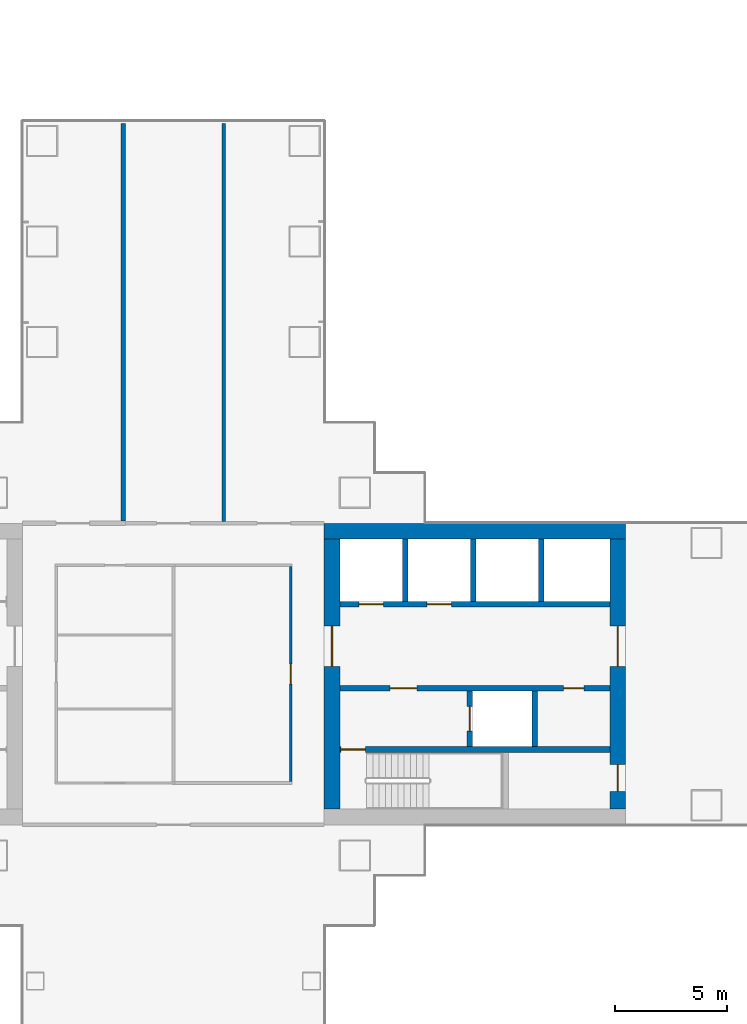
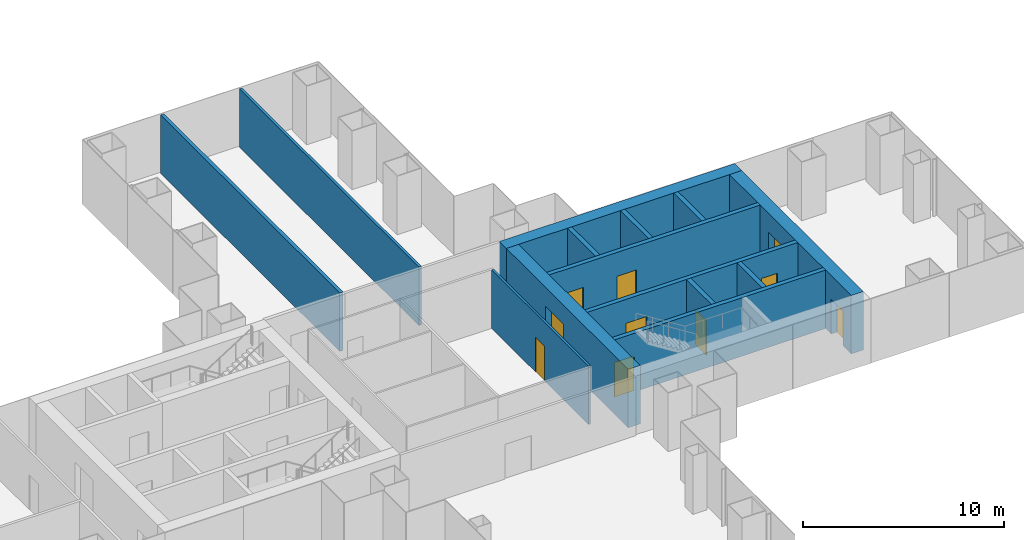
# One storey, part 14 of 21: 14 walls, 10 doors, 10 openings.
"""IFC4 building model written with IfcOpenShell, lengths in metres."""

from ifc_helpers import new_model, si_unit, direction, frame, frame_2d, origin, place, context, subcontext, project, spatial, rectangle, extrude, material, layer, layer_set, type_object, element, fill, save


model = new_model("IFC4")

# Units and contexts
model_context = context("Model", 3, precision=1e-05, world=origin(), true_north=direction((0.0, 1.0)))
body_context = subcontext(model_context, "Body", "Model", "MODEL_VIEW")
ifc_project = project(units=[si_unit("LENGTHUNIT", "METRE"), si_unit("AREAUNIT", "SQUARE_METRE"), si_unit("VOLUMEUNIT", "CUBIC_METRE"), si_unit("PLANEANGLEUNIT", "RADIAN"), si_unit("MASSUNIT", "GRAM", prefix="KILO")], contexts=[model_context])

# Site, building, storey
site_placement = place(None, origin())
site = spatial("IfcSite", under=ifc_project, at=site_placement, CompositionType="ELEMENT")
building_placement = place(site_placement, origin())
building = spatial("IfcBuilding", under=site, at=building_placement, Name="Shamsa Quay Exchange Towers", CompositionType="ELEMENT")
storey_placement = place(building_placement, frame((0.0, 0.0, 53.699951171875)))
storey = spatial("IfcBuildingStorey", under=building, at=storey_placement, Name="L11", CompositionType="ELEMENT", Elevation=53.699951171875)

# Wall
ifc_material_1 = material(Name="Concrete C80/95", Category="concrete")
ifc_layer_1 = layer(ifc_material_1, 0.699951171875)
ifc_layer_set_1 = layer_set([ifc_layer_1], Name="CORE WALL 700 C80/95")
wall_type_1 = type_object("IfcWallType", Name="CORE WALL 700 C80/95", PredefinedType="SHEAR", material=ifc_layer_set_1)
wall_1_placement = place(storey_placement, frame((-27.0, 6.39990234375, 0.0)))
element("IfcWall", 1, at=wall_1_placement, inside=storey, type_object=wall_type_1, Name="Core wall T1A-R04-PN", PredefinedType="SHEAR", context=body_context, shape_type="SweptSolid", body=[
    extrude(rectangle(XDim=13.5, YDim=0.699951171875, at=frame_2d((6.75, 0.0))), origin(), (0.0, 0.0, 1.0), 3.550048828125),
])

# Wall, opening, door
wall_2_placement = place(storey_placement, frame((-26.64990234375, 6.050048828125, 0.0), z_axis=(0.0, 0.0, 1.0), x_axis=(0.0, -1.0, 0.0)))
wall_2 = element("IfcWall", 2, at=wall_2_placement, inside=storey, type_object=wall_type_1, Name="Core wall T1A-R04-PF", PredefinedType="SHEAR", context=body_context, shape_type="SweptSolid", body=[
    extrude(rectangle(XDim=12.10009765625, YDim=0.699951171875, at=frame_2d((6.050048828125, 0.0))), origin(), (0.0, 0.0, 1.0), 3.550048828125),
])
opening_1_placement = place(wall_2_placement, frame((3.89990234375, 0.0, 0.0)))
opening_1 = element("IfcOpeningElement", 3, at=opening_1_placement, cuts=wall_2, Name="Opening T1A-R04-LBD01", PredefinedType="OPENING", context=body_context, shape_type="SweptSolid", body=[
    extrude(rectangle(XDim=1.800048828125, YDim=2.39990234375, at=frame_2d((0.89990234375, 1.199951171875))), frame((0.0, 0.35986328125, 0.0), z_axis=(0.0, -1.0, 0.0), x_axis=(1.0, 0.0, 0.0)), (0.0, 0.0, 1.0), 0.719970703125),
])
ifc_material_2 = material(Name="Steel, fire rated", Category="steel")
door_type_1 = type_object("IfcDoorType", Name="LIFT LOBBY DOOR PAIR 1800", OperationType="DOUBLE_DOOR_SINGLE_SWING", PredefinedType="DOOR", material=ifc_material_2)
door_1_placement = place(opening_1_placement, origin())
door_1 = element("IfcDoor", 4, at=door_1_placement, inside=storey, type_object=door_type_1, Name="T1A-R04-LBD01", OperationType="DOUBLE_DOOR_SINGLE_SWING", OverallHeight=2.39990234375, OverallWidth=1.800048828125, PredefinedType="DOOR", context=body_context, shape_type="SweptSolid", body=[
    extrude(rectangle(XDim=1.800048828125, YDim=2.39990234375, at=frame_2d((0.89990234375, 1.199951171875))), frame((0.0, 0.02490234375, 0.0), z_axis=(0.0, -1.0, 0.0), x_axis=(1.0, 0.0, 0.0)), (0.0, 0.0, 1.0), 0.050048828125),
])
fill(opening_1, door_1)

# Wall, openings, doors
wall_3_placement = place(storey_placement, frame((-13.85009765625, 6.050048828125, 0.0), z_axis=(0.0, 0.0, 1.0), x_axis=(0.0, -1.0, 0.0)))
wall_3 = element("IfcWall", 5, at=wall_3_placement, inside=storey, type_object=wall_type_1, Name="Core wall T1A-R04-PB", PredefinedType="SHEAR", context=body_context, shape_type="SweptSolid", body=[
    extrude(rectangle(XDim=12.10009765625, YDim=0.699951171875, at=frame_2d((6.050048828125, 0.0))), origin(), (0.0, 0.0, 1.0), 3.550048828125),
])
opening_2_placement = place(wall_3_placement, frame((10.10009765625, 0.0, 0.0)))
opening_2 = element("IfcOpeningElement", 6, at=opening_2_placement, cuts=wall_3, Name="Opening T1A-R04-RD02", PredefinedType="OPENING", context=body_context, shape_type="SweptSolid", body=[
    extrude(rectangle(XDim=1.199951171875, YDim=2.10009765625, at=frame_2d((0.60009765625, 1.050048828125))), frame((0.0, 0.35986328125, 0.0), z_axis=(0.0, -1.0, 0.0), x_axis=(1.0, 0.0, 0.0)), (0.0, 0.0, 1.0), 0.719970703125),
])
opening_3_placement = place(wall_3_placement, frame((3.89990234375, 0.0, 0.0)))
opening_3 = element("IfcOpeningElement", 7, at=opening_3_placement, cuts=wall_3, Name="Opening T1A-R04-LBD03", PredefinedType="OPENING", context=body_context, shape_type="SweptSolid", body=[
    extrude(rectangle(XDim=1.800048828125, YDim=2.39990234375, at=frame_2d((0.89990234375, 1.199951171875))), frame((0.0, 0.35986328125, 0.0), z_axis=(0.0, -1.0, 0.0), x_axis=(1.0, 0.0, 0.0)), (0.0, 0.0, 1.0), 0.719970703125),
])
door_2_placement = place(opening_3_placement, origin())
door_2 = element("IfcDoor", 8, at=door_2_placement, inside=storey, type_object=door_type_1, Name="T1A-R04-LBD03", OperationType="DOUBLE_DOOR_SINGLE_SWING", OverallHeight=2.39990234375, OverallWidth=1.800048828125, PredefinedType="DOOR", context=body_context, shape_type="SweptSolid", body=[
    extrude(rectangle(XDim=1.800048828125, YDim=2.39990234375, at=frame_2d((0.89990234375, 1.199951171875))), frame((0.0, 0.02490234375, 0.0), z_axis=(0.0, -1.0, 0.0), x_axis=(1.0, 0.0, 0.0)), (0.0, 0.0, 1.0), 0.050048828125),
])
fill(opening_3, door_2)
door_type_2 = type_object("IfcDoorType", Name="RISER ACCESS DOOR 1200", OperationType="SINGLE_SWING_LEFT", PredefinedType="DOOR", material=ifc_material_2)
door_3_placement = place(opening_2_placement, origin())
door_3 = element("IfcDoor", 9, at=door_3_placement, inside=storey, type_object=door_type_2, Name="T1A-R04-RD02", OperationType="SINGLE_SWING_RIGHT", OverallHeight=2.10009765625, OverallWidth=1.199951171875, PredefinedType="DOOR", context=body_context, shape_type="SweptSolid", body=[
    extrude(rectangle(XDim=1.199951171875, YDim=2.10009765625, at=frame_2d((0.60009765625, 1.050048828125))), frame((0.0, 0.02490234375, 0.0), z_axis=(0.0, -1.0, 0.0), x_axis=(1.0, 0.0, 0.0)), (0.0, 0.0, 1.0), 0.050048828125),
])
fill(opening_2, door_3)

# Wall, opening, door
ifc_material_3 = material(Name="Laminated fire-resisting glass in a metal frame", Category="glass")
ifc_layer_2 = layer(ifc_material_3, 0.125)
ifc_layer_set_2 = layer_set([ifc_layer_2], Name="Glazed partition 125 mm EI 60")
wall_type_2 = type_object("IfcWallType", Name="Glazed partition 125 mm EI 60", PredefinedType="PARTITIONING", material=ifc_layer_set_2)
wall_4_placement = place(storey_placement, frame((-28.5, -4.8125, 0.0), z_axis=(0.0, 0.0, 1.0), x_axis=(0.0, 1.0, 0.0)))
wall_4 = element("IfcWall", 10, at=wall_4_placement, inside=storey, type_object=wall_type_2, Name="Partition T1-R04-W05", PredefinedType="PARTITIONING", context=body_context, shape_type="SweptSolid", body=[
    extrude(rectangle(XDim=9.625, YDim=0.125, at=frame_2d((4.8125, 0.0))), origin(), (0.0, 0.0, 1.0), 3.550048828125),
])
opening_4_placement = place(wall_4_placement, frame((4.362548828125, 0.0, 0.0)))
opening_4 = element("IfcOpeningElement", 11, at=opening_4_placement, cuts=wall_4, Name="Opening T1-R04-D09", PredefinedType="OPENING", context=body_context, shape_type="SweptSolid", body=[
    extrude(rectangle(XDim=0.89990234375, YDim=2.10009765625, at=frame_2d((0.449951171875, 1.050048828125))), frame((0.0, 0.072509765625, 0.0), z_axis=(0.0, -1.0, 0.0), x_axis=(1.0, 0.0, 0.0)), (0.0, 0.0, 1.0), 0.14501953125),
])
ifc_material_4 = material(Name="Timber door leaf in a metal frame", Category="wood")
door_type_3 = type_object("IfcDoorType", Name="Door 900x2100 FD30S", OperationType="NOTDEFINED", PredefinedType="DOOR", material=ifc_material_4)
door_4_placement = place(opening_4_placement, origin())
door_4 = element("IfcDoor", 12, at=door_4_placement, inside=storey, type_object=door_type_3, Name="Door T1-R04-D09", OperationType="SINGLE_SWING_RIGHT", OverallHeight=2.10009765625, OverallWidth=0.89990234375, PredefinedType="DOOR", context=body_context, shape_type="SweptSolid", body=[
    extrude(rectangle(XDim=0.89990234375, YDim=2.10009765625, at=frame_2d((0.449951171875, 1.050048828125))), frame((0.0, 0.02490234375, 0.0), z_axis=(0.0, -1.0, 0.0), x_axis=(1.0, 0.0, 0.0)), (0.0, 0.0, 1.0), 0.050048828125),
])
fill(opening_4, door_4)

# Walls
ifc_material_5 = material(Name="Gypsum board partition on metal studs")
ifc_layer_3 = layer(ifc_material_5, 0.14990234375)
ifc_layer_set_3 = layer_set([ifc_layer_3], Name="Partition 150 mm EI 60")
wall_type_3 = type_object("IfcWallType", Name="Partition 150 mm EI 60", PredefinedType="PARTITIONING", material=ifc_layer_set_3)
wall_5_placement = place(storey_placement, frame((-31.5, 6.824951171875, 0.0), z_axis=(0.0, 0.0, 1.0), x_axis=(0.0, 1.0, 0.0)))
element("IfcWall", 13, at=wall_5_placement, inside=storey, type_object=wall_type_3, Name="Partition T1-R04-W16", PredefinedType="PARTITIONING", context=body_context, shape_type="SweptSolid", body=[
    extrude(rectangle(XDim=17.830078125, YDim=0.14990234375, at=frame_2d((8.9150390625, 0.0))), origin(), (0.0, 0.0, 1.0), 3.550048828125),
])
ifc_layer_4 = layer(ifc_material_5, 0.199951171875)
ifc_layer_set_4 = layer_set([ifc_layer_4], Name="Partition 200 mm EI 90")
wall_type_4 = type_object("IfcWallType", Name="Partition 200 mm EI 90", PredefinedType="PARTITIONING", material=ifc_layer_set_4)
wall_6_placement = place(storey_placement, frame((-36.0, 6.85009765625, 0.0), z_axis=(0.0, 0.0, 1.0), x_axis=(0.0, 1.0, 0.0)))
element("IfcWall", 14, at=wall_6_placement, inside=storey, type_object=wall_type_4, Name="Partition T1-R04-W15", PredefinedType="PARTITIONING", context=body_context, shape_type="SweptSolid", body=[
    extrude(rectangle(XDim=17.804931640625, YDim=0.199951171875, at=frame_2d((8.90234375, 0.0))), origin(), (0.0, 0.0, 1.0), 3.550048828125),
])

# Wall, opening, door
ifc_material_6 = material(Name="Concrete C50/60", Category="concrete")
ifc_layer_5 = layer(ifc_material_6, 0.25)
ifc_layer_set_5 = layer_set([ifc_layer_5], Name="SHAFT WALL 250 C50/60")
wall_type_5 = type_object("IfcWallType", Name="SHAFT WALL 250 C50/60", PredefinedType="SHEAR", material=ifc_layer_set_5)
wall_7_placement = place(storey_placement, frame((-14.199951171875, -3.375, 0.0), z_axis=(0.0, 0.0, 1.0), x_axis=(-1.0, 0.0, 0.0)))
wall_7 = element("IfcWall", 15, at=wall_7_placement, inside=storey, type_object=wall_type_5, Name="Shaft wall T1A-R04-STL", PredefinedType="SHEAR", context=body_context, shape_type="SweptSolid", body=[
    extrude(rectangle(XDim=12.10009765625, YDim=0.25, at=frame_2d((6.050048828125, 0.0))), origin(), (0.0, 0.0, 1.0), 3.550048828125),
])
opening_5_placement = place(wall_7_placement, frame((10.949951171875, 0.0, 0.0)))
opening_5 = element("IfcOpeningElement", 16, at=opening_5_placement, cuts=wall_7, Name="Opening T1A-R04-SD04", PredefinedType="OPENING", context=body_context, shape_type="SweptSolid", body=[
    extrude(rectangle(XDim=1.10009765625, YDim=2.10009765625, at=frame_2d((0.550048828125, 1.050048828125))), frame((0.0, 0.135009765625, 0.0), z_axis=(0.0, -1.0, 0.0), x_axis=(1.0, 0.0, 0.0)), (0.0, 0.0, 1.0), 0.27001953125),
])
door_type_4 = type_object("IfcDoorType", Name="STAIR DOOR 1100", OperationType="SINGLE_SWING_LEFT", PredefinedType="DOOR", material=ifc_material_2)
door_5_placement = place(opening_5_placement, origin())
door_5 = element("IfcDoor", 17, at=door_5_placement, inside=storey, type_object=door_type_4, Name="T1A-R04-SD04", OperationType="SINGLE_SWING_RIGHT", OverallHeight=2.10009765625, OverallWidth=1.10009765625, PredefinedType="DOOR", context=body_context, shape_type="SweptSolid", body=[
    extrude(rectangle(XDim=1.10009765625, YDim=2.10009765625, at=frame_2d((0.550048828125, 1.050048828125))), frame((0.0, 0.02490234375, 0.0), z_axis=(0.0, -1.0, 0.0), x_axis=(1.0, 0.0, 0.0)), (0.0, 0.0, 1.0), 0.050048828125),
])
fill(opening_5, door_5)

# Wall, openings, doors
wall_8_placement = place(storey_placement, frame((-14.199951171875, -0.625, 0.0), z_axis=(0.0, 0.0, 1.0), x_axis=(-1.0, 0.0, 0.0)))
wall_8 = element("IfcWall", 18, at=wall_8_placement, inside=storey, type_object=wall_type_5, Name="Shaft wall T1A-R04-B", PredefinedType="SHEAR", context=body_context, shape_type="SweptSolid", body=[
    extrude(rectangle(XDim=12.10009765625, YDim=0.25, at=frame_2d((6.050048828125, 0.0))), origin(), (0.0, 0.0, 1.0), 3.550048828125),
])
opening_6_placement = place(wall_8_placement, frame((8.64990234375, 0.0, 0.0)))
opening_6 = element("IfcOpeningElement", 19, at=opening_6_placement, cuts=wall_8, Name="Opening T1A-R04-FD05", PredefinedType="OPENING", context=body_context, shape_type="SweptSolid", body=[
    extrude(rectangle(XDim=1.199951171875, YDim=2.10009765625, at=frame_2d((0.60009765625, 1.050048828125))), frame((0.0, 0.135009765625, 0.0), z_axis=(0.0, -1.0, 0.0), x_axis=(1.0, 0.0, 0.0)), (0.0, 0.0, 1.0), 0.27001953125),
])
opening_7_placement = place(wall_8_placement, frame((1.175048828125, 0.0, 0.0)))
opening_7 = element("IfcOpeningElement", 20, at=opening_7_placement, cuts=wall_8, Name="Opening T1A-R04-SV06", PredefinedType="OPENING", context=body_context, shape_type="SweptSolid", body=[
    extrude(rectangle(XDim=0.89990234375, YDim=2.10009765625, at=frame_2d((0.449951171875, 1.050048828125))), frame((0.0, 0.135009765625, 0.0), z_axis=(0.0, -1.0, 0.0), x_axis=(1.0, 0.0, 0.0)), (0.0, 0.0, 1.0), 0.27001953125),
])
door_type_5 = type_object("IfcDoorType", Name="FIRE SERVICE LOBBY DOOR 1200", OperationType="SINGLE_SWING_LEFT", PredefinedType="DOOR", material=ifc_material_2)
door_6_placement = place(opening_6_placement, origin())
door_6 = element("IfcDoor", 21, at=door_6_placement, inside=storey, type_object=door_type_5, Name="T1A-R04-FD05", OperationType="SINGLE_SWING_RIGHT", OverallHeight=2.10009765625, OverallWidth=1.199951171875, PredefinedType="DOOR", context=body_context, shape_type="SweptSolid", body=[
    extrude(rectangle(XDim=1.199951171875, YDim=2.10009765625, at=frame_2d((0.60009765625, 1.050048828125))), frame((0.0, 0.02490234375, 0.0), z_axis=(0.0, -1.0, 0.0), x_axis=(1.0, 0.0, 0.0)), (0.0, 0.0, 1.0), 0.050048828125),
])
fill(opening_6, door_6)
door_type_6 = type_object("IfcDoorType", Name="SERVICE ROOM DOOR 900", OperationType="SINGLE_SWING_LEFT", PredefinedType="DOOR", material=ifc_material_2)
door_7_placement = place(opening_7_placement, origin())
door_7 = element("IfcDoor", 22, at=door_7_placement, inside=storey, type_object=door_type_6, Name="T1A-R04-SV06", OperationType="SINGLE_SWING_LEFT", OverallHeight=2.10009765625, OverallWidth=0.89990234375, PredefinedType="DOOR", context=body_context, shape_type="SweptSolid", body=[
    extrude(rectangle(XDim=0.89990234375, YDim=2.10009765625, at=frame_2d((0.449951171875, 1.050048828125))), frame((0.0, 0.02490234375, 0.0), z_axis=(0.0, -1.0, 0.0), x_axis=(1.0, 0.0, 0.0)), (0.0, 0.0, 1.0), 0.050048828125),
])
fill(opening_7, door_7)

# Wall, opening, door
wall_9_placement = place(storey_placement, frame((-20.47509765625, -3.25, 0.0), z_axis=(0.0, 0.0, 1.0), x_axis=(0.0, 1.0, 0.0)))
wall_9 = element("IfcWall", 23, at=wall_9_placement, inside=storey, type_object=wall_type_5, Name="Shaft wall T1A-R04-FFF", PredefinedType="SHEAR", context=body_context, shape_type="SweptSolid", body=[
    extrude(rectangle(XDim=2.5, YDim=0.25, at=frame_2d((1.25, 0.0))), origin(), (0.0, 0.0, 1.0), 3.550048828125),
])
opening_8_placement = place(wall_9_placement, frame((0.699951171875, 0.0, 0.0)))
opening_8 = element("IfcOpeningElement", 24, at=opening_8_placement, cuts=wall_9, Name="Opening T1A-R04-LDF07", PredefinedType="OPENING", context=body_context, shape_type="SweptSolid", body=[
    extrude(rectangle(XDim=1.10009765625, YDim=2.10009765625, at=frame_2d((0.550048828125, 1.050048828125))), frame((0.0, 0.135009765625, 0.0), z_axis=(0.0, -1.0, 0.0), x_axis=(1.0, 0.0, 0.0)), (0.0, 0.0, 1.0), 0.27001953125),
])
door_type_7 = type_object("IfcDoorType", Name="FIRE SERVICE LANDING DOOR 1100", OperationType="SLIDING_TO_LEFT", PredefinedType="DOOR", material=ifc_material_2)
door_8_placement = place(opening_8_placement, origin())
door_8 = element("IfcDoor", 25, at=door_8_placement, inside=storey, type_object=door_type_7, Name="T1A-R04-LDF07", OperationType="SLIDING_TO_LEFT", OverallHeight=2.10009765625, OverallWidth=1.10009765625, PredefinedType="DOOR", context=body_context, shape_type="SweptSolid", body=[
    extrude(rectangle(XDim=1.10009765625, YDim=2.10009765625, at=frame_2d((0.550048828125, 1.050048828125))), frame((0.0, 0.02490234375, 0.0), z_axis=(0.0, -1.0, 0.0), x_axis=(1.0, 0.0, 0.0)), (0.0, 0.0, 1.0), 0.050048828125),
])
fill(opening_8, door_8)

# Wall
wall_10_placement = place(storey_placement, frame((-17.574951171875, -3.25, 0.0), z_axis=(0.0, 0.0, 1.0), x_axis=(0.0, 1.0, 0.0)))
element("IfcWall", 26, at=wall_10_placement, inside=storey, type_object=wall_type_5, Name="Shaft wall T1A-R04-FFB", PredefinedType="SHEAR", context=body_context, shape_type="SweptSolid", body=[
    extrude(rectangle(XDim=2.5, YDim=0.25, at=frame_2d((1.25, 0.0))), origin(), (0.0, 0.0, 1.0), 3.550048828125),
])

# Wall, openings, doors
wall_11_placement = place(storey_placement, frame((-26.300048828125, 3.125, 0.0)))
wall_11 = element("IfcWall", 27, at=wall_11_placement, inside=storey, type_object=wall_type_5, Name="Shaft wall T1A-R04-N", PredefinedType="SHEAR", context=body_context, shape_type="SweptSolid", body=[
    extrude(rectangle(XDim=12.10009765625, YDim=0.25, at=frame_2d((6.050048828125, 0.0))), origin(), (0.0, 0.0, 1.0), 3.550048828125),
])
opening_9_placement = place(wall_11_placement, frame((0.85009765625, 0.0, 0.0)))
opening_9 = element("IfcOpeningElement", 28, at=opening_9_placement, cuts=wall_11, Name="Opening T1A-R04-LD08", PredefinedType="OPENING", context=body_context, shape_type="SweptSolid", body=[
    extrude(rectangle(XDim=1.10009765625, YDim=2.10009765625, at=frame_2d((0.550048828125, 1.050048828125))), frame((0.0, 0.135009765625, 0.0), z_axis=(0.0, -1.0, 0.0), x_axis=(1.0, 0.0, 0.0)), (0.0, 0.0, 1.0), 0.27001953125),
])
opening_10_placement = place(wall_11_placement, frame((3.89990234375, 0.0, 0.0)))
opening_10 = element("IfcOpeningElement", 29, at=opening_10_placement, cuts=wall_11, Name="Opening T1A-R04-LD09", PredefinedType="OPENING", context=body_context, shape_type="SweptSolid", body=[
    extrude(rectangle(XDim=1.10009765625, YDim=2.10009765625, at=frame_2d((0.550048828125, 1.050048828125))), frame((0.0, 0.135009765625, 0.0), z_axis=(0.0, -1.0, 0.0), x_axis=(1.0, 0.0, 0.0)), (0.0, 0.0, 1.0), 0.27001953125),
])
door_type_8 = type_object("IfcDoorType", Name="LANDING DOOR 1100", OperationType="SLIDING_TO_LEFT", PredefinedType="DOOR", material=ifc_material_2)
door_9_placement = place(opening_9_placement, origin())
door_9 = element("IfcDoor", 30, at=door_9_placement, inside=storey, type_object=door_type_8, Name="T1A-R04-LD08", OperationType="SLIDING_TO_LEFT", OverallHeight=2.10009765625, OverallWidth=1.10009765625, PredefinedType="DOOR", context=body_context, shape_type="SweptSolid", body=[
    extrude(rectangle(XDim=1.10009765625, YDim=2.10009765625, at=frame_2d((0.550048828125, 1.050048828125))), frame((0.0, 0.02490234375, 0.0), z_axis=(0.0, -1.0, 0.0), x_axis=(1.0, 0.0, 0.0)), (0.0, 0.0, 1.0), 0.050048828125),
])
fill(opening_9, door_9)
door_10_placement = place(opening_10_placement, origin())
door_10 = element("IfcDoor", 31, at=door_10_placement, inside=storey, type_object=door_type_8, Name="T1A-R04-LD09", OperationType="SLIDING_TO_LEFT", OverallHeight=2.10009765625, OverallWidth=1.10009765625, PredefinedType="DOOR", context=body_context, shape_type="SweptSolid", body=[
    extrude(rectangle(XDim=1.10009765625, YDim=2.10009765625, at=frame_2d((0.550048828125, 1.050048828125))), frame((0.0, 0.02490234375, 0.0), z_axis=(0.0, -1.0, 0.0), x_axis=(1.0, 0.0, 0.0)), (0.0, 0.0, 1.0), 0.050048828125),
])
fill(opening_10, door_10)

# Walls
for number, where, z_axis, x_axis, name in (
    (32, (-23.375, 3.25, 0.0), (0.0, 0.0, 1.0), (0.0, 1.0, 0.0), "Shaft wall T1A-R04-D0"),
    (33, (-20.324951171875, 3.25, 0.0), (0.0, 0.0, 1.0), (0.0, 1.0, 0.0), "Shaft wall T1A-R04-D1"),
    (34, (-17.27490234375, 3.25, 0.0), (0.0, 0.0, 1.0), (0.0, 1.0, 0.0), "Shaft wall T1A-R04-D2"),
):
    element("IfcWall", number, at=place(storey_placement, frame(where, z_axis=z_axis, x_axis=x_axis)), inside=storey, type_object=wall_type_5, Name=name, PredefinedType="SHEAR", context=body_context, shape_type="SweptSolid", body=[
        extrude(rectangle(XDim=2.800048828125, YDim=0.25, at=frame_2d((1.39990234375, 0.0))), origin(), (0.0, 0.0, 1.0), 3.550048828125),
    ])

save(model, "model.ifc")
